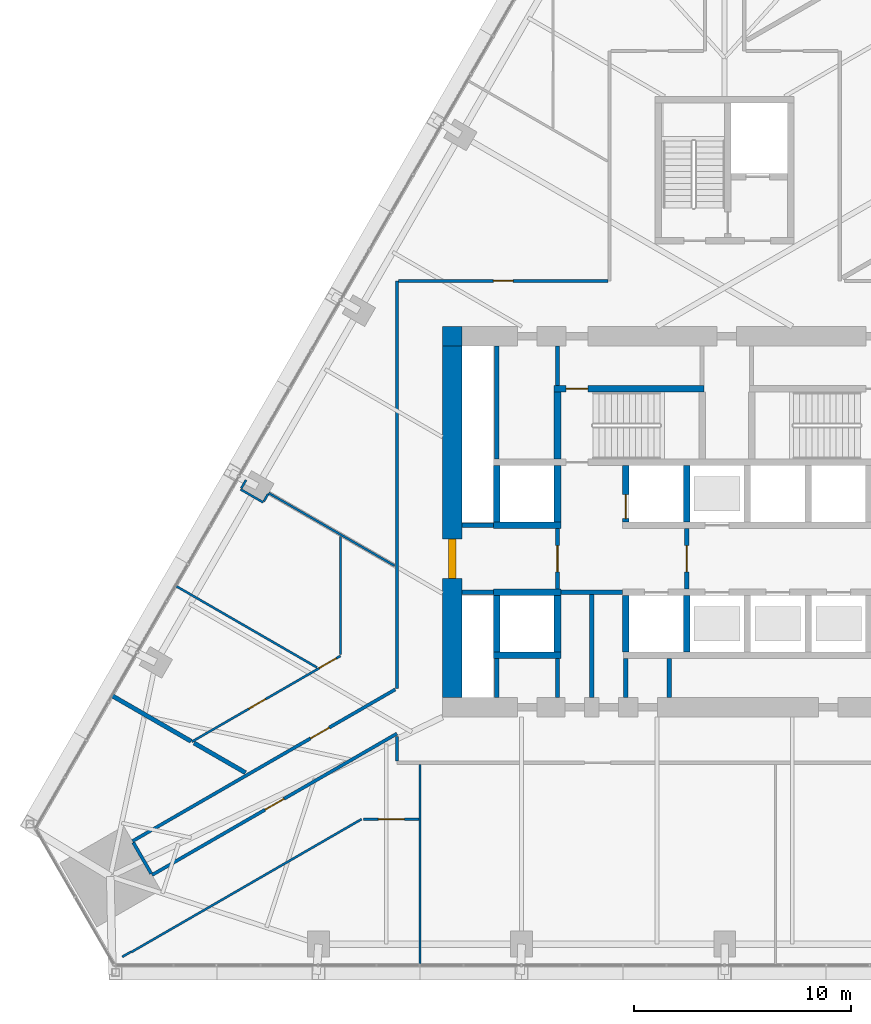
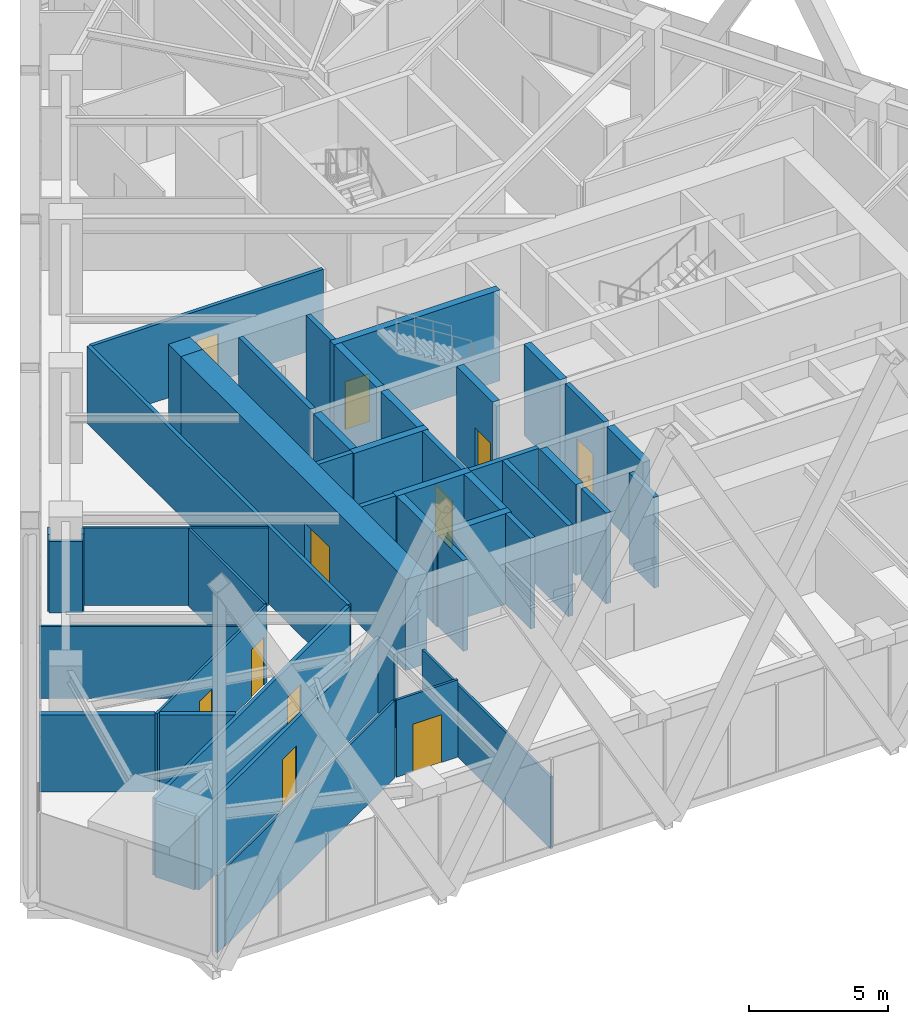
# One storey, part 15 of 21: 46 walls, 11 doors, 11 openings.
"""IFC4 building model written with IfcOpenShell, lengths in metres."""

import ifcopenshell
import ifcopenshell.guid

model = None  # the IFC model being written
_history = None  # IfcOwnerHistory: only IFC2X3 demands one
_inside = {}  # id of a spatial element -> (the spatial element, [elements in it])
_under = {}  # id of a project, library or spatial element -> (it, [spatial elements below it])
_declared = {}  # id of a project -> (the project, [libraries it declares])
_typed = {}  # id of a type object -> (the type object, [elements of that type])
_made_of = {}  # id of a material, layer set ... -> (it, [elements and type objects made of it])


def new_model(schema):
    """Start an empty IFC model of exactly this schema.

    Asked for "IFC4X3", IfcOpenShell would pick the latest addendum, in which some entities
    have other attributes; the version numbers below select the first issue.
    IFC2X3 requires an IfcOwnerHistory on every rooted entity: one is made here for all.
    """
    global model, _history
    if schema == "IFC4X3":
        model = ifcopenshell.file(schema_version=(4, 3, 0, 0))
    else:
        model = ifcopenshell.file(schema=schema)
    _inside.clear()
    _under.clear()
    _declared.clear()
    _typed.clear()
    _made_of.clear()
    _history = None
    if model.schema == "IFC2X3":
        org = make("IfcOrganization", Name="unknown")
        user = make(
            "IfcPersonAndOrganization",
            ThePerson=make("IfcPerson", FamilyName="unknown"),
            TheOrganization=org,
        )
        app = make(
            "IfcApplication",
            ApplicationDeveloper=org,
            Version="unknown",
            ApplicationFullName="unknown",
            ApplicationIdentifier="unknown",
        )
        _history = make(
            "IfcOwnerHistory",
            OwningUser=user,
            OwningApplication=app,
            ChangeAction="ADDED",
            CreationDate=0,
        )
    return model


def make(cls, **values):
    """One entity of the class cls with the attributes given. An attribute that is None is left unset."""
    return model.create_entity(
        cls, **{name: value for name, value in values.items() if value is not None}
    )


def rooted(cls, **values):
    """An entity with a GlobalId (a new one), such as an element, a storey or a relation."""
    return make(cls, GlobalId=ifcopenshell.guid.new(), OwnerHistory=_history, **values)


def si_unit(unit_type, name, prefix=None):
    """IfcSIUnit, for example si_unit("LENGTHUNIT", "METRE", prefix="MILLI")."""
    return make("IfcSIUnit", UnitType=unit_type, Prefix=prefix, Name=name)


def assignment(units):
    """IfcUnitAssignment: the units of a project."""
    return None if units is None else make("IfcUnitAssignment", Units=units)


def point(xyz):
    """IfcCartesianPoint."""
    return None if xyz is None else make("IfcCartesianPoint", Coordinates=xyz)


def direction(xyz):
    """IfcDirection."""
    return None if xyz is None else make("IfcDirection", DirectionRatios=xyz)


def frame(location, z_axis=None, x_axis=None):
    """IfcAxis2Placement3D, a coordinate frame: its origin and axes. An axis left out is left unset."""
    return make(
        "IfcAxis2Placement3D",
        Location=point(location),
        Axis=direction(z_axis),
        RefDirection=direction(x_axis),
    )


def frame_2d(location, x_axis=None):
    """IfcAxis2Placement2D, a coordinate frame in the plane: its origin and x axis."""
    return make(
        "IfcAxis2Placement2D", Location=point(location), RefDirection=direction(x_axis)
    )


def origin():
    """The frame at (0, 0, 0) with its axes left unset."""
    return frame((0.0, 0.0, 0.0))


def place(relative_to, where):
    """IfcLocalPlacement: puts the frame where relative to a parent placement (None: the world)."""
    return make(
        "IfcLocalPlacement", PlacementRelTo=relative_to, RelativePlacement=where
    )


def context(
    kind, dimensions, precision=None, world=None, true_north=None, identifier=None
):
    """IfcGeometricRepresentationContext, for example the 3D "Model" context."""
    return make(
        "IfcGeometricRepresentationContext",
        ContextIdentifier=identifier,
        ContextType=kind,
        CoordinateSpaceDimension=dimensions,
        Precision=precision,
        WorldCoordinateSystem=world,
        TrueNorth=true_north,
    )


def subcontext(parent, identifier, kind, view, scale=None):
    """IfcGeometricRepresentationSubContext, for example "Body" below "Model"."""
    return make(
        "IfcGeometricRepresentationSubContext",
        ContextIdentifier=identifier,
        ContextType=kind,
        ParentContext=parent,
        TargetScale=scale,
        TargetView=view,
    )


def project(units=None, contexts=None):
    """IfcProject with its units and contexts."""
    return rooted(
        "IfcProject",
        Name="project",
        RepresentationContexts=contexts,
        UnitsInContext=assignment(units),
    )


def spatial(cls, under=None, at=None, **own):
    """A site, building, storey or space (cls), placed at a placement, below another one or the project."""
    s = rooted(cls, ObjectPlacement=at, **own)
    if under is not None:
        _under.setdefault(under.id(), (under, []))[1].append(s)
    return s


def profile(cls, at=None, kind="AREA", **sizes):
    """A parametric profile (cls). Its sizes go by their IFC names, for example OverallWidth=200.0."""
    return make(cls, ProfileType=kind, Position=at, **sizes)


def rectangle(**sizes):
    """IfcRectangleProfileDef."""
    return profile("IfcRectangleProfileDef", **sizes)


def extrude(swept, where, along, depth):
    """IfcExtrudedAreaSolid: the profile swept, set in the frame where, extruded along a direction by depth."""
    return make(
        "IfcExtrudedAreaSolid",
        SweptArea=swept,
        Position=where,
        ExtrudedDirection=direction(along),
        Depth=depth,
    )


def shape(context_of_items, identifier, shape_type, items):
    """IfcShapeRepresentation: the items that make up one representation, for example the "Body"."""
    return make(
        "IfcShapeRepresentation",
        ContextOfItems=context_of_items,
        RepresentationIdentifier=identifier,
        RepresentationType=shape_type,
        Items=items,
    )


def material(Name=None, Category=None):
    """IfcMaterial."""
    return make("IfcMaterial", Name=Name, Category=Category)


def layer(
    of_material, thickness, ventilated=None, Name=None, Category=None, Priority=None
):
    """IfcMaterialLayer: one layer of a wall or slab, of a material (None: an air gap)."""
    return make(
        "IfcMaterialLayer",
        Material=of_material,
        LayerThickness=thickness,
        IsVentilated=ventilated,
        Name=Name,
        Category=Category,
        Priority=Priority,
    )


def layer_set(layers, Name=None):
    """IfcMaterialLayerSet."""
    return make("IfcMaterialLayerSet", MaterialLayers=layers, LayerSetName=Name)


def made_of(thing, what):
    """Note that an element or type object is made of a material, layer set ...; save() writes the relation."""
    if what is not None:
        _made_of.setdefault(what.id(), (what, []))[1].append(thing)
    return thing


def type_object(cls, material=None, **own):
    """A type object (cls), such as IfcWallType, which elements share."""
    return made_of(rooted(cls, **own), material)


def element(
    cls,
    number,
    at=None,
    inside=None,
    cuts=None,
    type_object=None,
    material=None,
    context=None,
    identifier="Body",
    shape_type=None,
    held_by="IfcProductDefinitionShape",
    body=None,
    shapes=None,
    **own,
):
    """One element of the class cls, such as IfcWall. Its Tag is "e" and its number.

    at: its placement. inside: the storey or other place that contains it. cuts: it is an
    opening in that element (IfcRelVoidsElement). A single representation is given by context,
    identifier, shape_type and body (its items); several are given by shapes. held_by: the class
    of the entity that holds the representations. save() writes the other relations.
    """
    e = rooted(cls, Tag="e%d" % number, ObjectPlacement=at, **own)
    if body is not None:
        shapes = [shape(context, identifier, shape_type, body)]
    if shapes is not None:
        e.Representation = make(held_by, Representations=shapes)
    if inside is not None:
        _inside.setdefault(inside.id(), (inside, []))[1].append(e)
    if cuts is not None:
        rooted(
            "IfcRelVoidsElement", RelatingBuildingElement=cuts, RelatedOpeningElement=e
        )
    if type_object is not None:
        _typed.setdefault(type_object.id(), (type_object, []))[1].append(e)
    return made_of(e, material)


def fill(opening, filler):
    """IfcRelFillsElement: the door or window that sits in an opening."""
    return rooted(
        "IfcRelFillsElement",
        RelatingOpeningElement=opening,
        RelatedBuildingElement=filler,
    )


def aggregate(whole, parts):
    """IfcRelAggregates: a whole, such as a stair, and the parts it consists of."""
    return rooted("IfcRelAggregates", RelatingObject=whole, RelatedObjects=parts)


def save(model, path):
    """Write the relations noted so far, then the file.

    IfcRelAggregates (storeys below a building ...), IfcRelContainedInSpatialStructure (elements
    in a storey), IfcRelDefinesByType, IfcRelAssociatesMaterial and IfcRelDeclares: one each for
    every whole, place, type object, material and project.
    """
    for whole, parts in _under.values():
        aggregate(whole, parts)
    for where, things in _inside.values():
        rooted(
            "IfcRelContainedInSpatialStructure",
            RelatedElements=things,
            RelatingStructure=where,
        )
    for kind, things in _typed.values():
        rooted("IfcRelDefinesByType", RelatedObjects=things, RelatingType=kind)
    for what, things in _made_of.values():
        rooted("IfcRelAssociatesMaterial", RelatedObjects=things, RelatingMaterial=what)
    for by, libraries in _declared.values():
        rooted("IfcRelDeclares", RelatingContext=by, RelatedDefinitions=libraries)
    model.write(path)


model = new_model("IFC4")

# Units and contexts
model_context = context("Model", 3, precision=1e-05, world=origin(), true_north=direction((0.0, 1.0)))
body_context = subcontext(model_context, "Body", "Model", "MODEL_VIEW")
ifc_project = project(units=[si_unit("LENGTHUNIT", "METRE"), si_unit("AREAUNIT", "SQUARE_METRE"), si_unit("VOLUMEUNIT", "CUBIC_METRE"), si_unit("PLANEANGLEUNIT", "RADIAN"), si_unit("MASSUNIT", "GRAM", prefix="KILO")], contexts=[model_context])

# Site, building, storey
site_placement = place(None, origin())
site = spatial("IfcSite", under=ifc_project, at=site_placement, CompositionType="ELEMENT")
building_placement = place(site_placement, origin())
building = spatial("IfcBuilding", under=site, at=building_placement, Name="Firuza Gate Tower and Library", CompositionType="ELEMENT")
storey_placement = place(building_placement, frame((0.0, 0.0, 107.199951171875)))
storey = spatial("IfcBuildingStorey", under=building, at=storey_placement, Name="L24", CompositionType="ELEMENT", Elevation=107.199951171875)

# Walls
ifc_material_1 = material(Name="Plasterboard on steel studs", Category="steel")
ifc_layer_1 = layer(ifc_material_1, 0.199951171875)
ifc_layer_set_1 = layer_set([ifc_layer_1], Name="Core partition 200 EI 120")
wall_type_1 = type_object("IfcWallType", Name="Core partition 200 EI 120", PredefinedType="PARTITIONING", material=ifc_layer_set_1)
wall_1_placement = place(storey_placement, frame((62.89990234375, 71.75, 0.0), z_axis=(0.0, 0.0, 1.0), x_axis=(1.0, 0.0, 0.0)))
element("IfcWall", 1, at=wall_1_placement, inside=storey, type_object=wall_type_1, Name="Core partition L24 1", PredefinedType="PARTITIONING", context=body_context, shape_type="SweptSolid", body=[
    extrude(rectangle(XDim=1.4501953125, YDim=0.199951171875, at=frame_2d((0.72509765625, 0.0))), origin(), (0.0, 0.0, 1.0), 4.0),
])
wall_2_placement = place(storey_placement, frame((67.449951171875, 71.75, 0.0), z_axis=(0.0, 0.0, 1.0), x_axis=(1.0, 0.0, 0.0)))
element("IfcWall", 2, at=wall_2_placement, inside=storey, type_object=wall_type_1, Name="Core partition L24 2", PredefinedType="PARTITIONING", context=body_context, shape_type="SweptSolid", body=[
    extrude(rectangle(XDim=2.85009765625, YDim=0.199951171875, at=frame_2d((1.425048828125, 0.0))), origin(), (0.0, 0.0, 1.0), 4.0),
])
wall_3_placement = place(storey_placement, frame((62.89990234375, 74.85009765625, 0.0), z_axis=(0.0, 0.0, 1.0), x_axis=(1.0, 0.0, 0.0)))
element("IfcWall", 3, at=wall_3_placement, inside=storey, type_object=wall_type_1, Name="Core partition L24 3", PredefinedType="PARTITIONING", context=body_context, shape_type="SweptSolid", body=[
    extrude(rectangle(XDim=1.4501953125, YDim=0.199951171875, at=frame_2d((0.72509765625, 0.0))), origin(), (0.0, 0.0, 1.0), 4.0),
])
wall_4_placement = place(storey_placement, frame((64.5, 66.89990234375, 0.0), z_axis=(0.0, 0.0, 1.0), x_axis=(0.0, 1.0, 0.0)))
element("IfcWall", 4, at=wall_4_placement, inside=storey, type_object=wall_type_1, Name="Core partition L24 5", PredefinedType="PARTITIONING", context=body_context, shape_type="SweptSolid", body=[
    extrude(rectangle(XDim=1.800048828125, YDim=0.199951171875, at=frame_2d((0.89990234375, 0.0))), origin(), (0.0, 0.0, 1.0), 4.0),
])
wall_5_placement = place(storey_placement, frame((64.5, 77.89990234375, 0.0), z_axis=(0.0, 0.0, 1.0), x_axis=(0.0, 1.0, 0.0)))
element("IfcWall", 5, at=wall_5_placement, inside=storey, type_object=wall_type_1, Name="Core partition L24 6", PredefinedType="PARTITIONING", context=body_context, shape_type="SweptSolid", body=[
    extrude(rectangle(XDim=5.2001953125, YDim=0.199951171875, at=frame_2d((2.60009765625, 0.0))), origin(), (0.0, 0.0, 1.0), 4.0),
])
wall_6_placement = place(storey_placement, frame((67.300048828125, 66.89990234375, 0.0), z_axis=(0.0, 0.0, 1.0), x_axis=(0.0, 1.0, 0.0)))
element("IfcWall", 6, at=wall_6_placement, inside=storey, type_object=wall_type_1, Name="Core partition L24 7", PredefinedType="PARTITIONING", context=body_context, shape_type="SweptSolid", body=[
    extrude(rectangle(XDim=1.800048828125, YDim=0.199951171875, at=frame_2d((0.89990234375, 0.0))), origin(), (0.0, 0.0, 1.0), 4.0),
])
wall_7_placement = place(storey_placement, frame((68.875, 66.89990234375, 0.0), z_axis=(0.0, 0.0, 1.0), x_axis=(0.0, 1.0, 0.0)))
element("IfcWall", 7, at=wall_7_placement, inside=storey, type_object=wall_type_1, Name="Core partition L24 10", PredefinedType="PARTITIONING", context=body_context, shape_type="SweptSolid", body=[
    extrude(rectangle(XDim=4.75, YDim=0.199951171875, at=frame_2d((2.375, 0.0))), origin(), (0.0, 0.0, 1.0), 4.0),
])
for number, where, z_axis, x_axis, name in (
    (8, (70.449951171875, 66.89990234375, 0.0), (0.0, 0.0, 1.0), (0.0, 1.0, 0.0), "Core partition L24 11"),
    (9, (72.447998046875, 66.89990234375, 0.0), (0.0, 0.0, 1.0), (0.0, 1.0, 0.0), "Core partition L24 12"),
):
    element("IfcWall", number, at=place(storey_placement, frame(where, z_axis=z_axis, x_axis=x_axis)), inside=storey, type_object=wall_type_1, Name=name, PredefinedType="PARTITIONING", context=body_context, shape_type="SweptSolid", body=[
        extrude(rectangle(XDim=1.800048828125, YDim=0.199951171875, at=frame_2d((0.89990234375, 0.0))), origin(), (0.0, 0.0, 1.0), 4.0),
    ])

# Wall, opening, door
ifc_material_2 = material(Name="Plasterboard on steel studs", Category="steel")
ifc_layer_2 = layer(ifc_material_2, 0.199951171875)
ifc_layer_set_2 = layer_set([ifc_layer_2], Name="Core partition 200 EI 60")
wall_type_2 = type_object("IfcWallType", Name="Core partition 200 EI 60", PredefinedType="PARTITIONING", material=ifc_layer_set_2)
wall_8_placement = place(storey_placement, frame((67.300048828125, 71.89990234375, 0.0), z_axis=(0.0, 0.0, 1.0), x_axis=(0.0, 1.0, 0.0)))
wall_8 = element("IfcWall", 10, at=wall_8_placement, inside=storey, type_object=wall_type_2, Name="Core partition L24 8", PredefinedType="PARTITIONING", context=body_context, shape_type="SweptSolid", body=[
    extrude(rectangle(XDim=2.800048828125, YDim=0.199951171875, at=frame_2d((1.39990234375, 0.0))), origin(), (0.0, 0.0, 1.0), 4.0),
])
opening_1_placement = place(wall_8_placement, frame((0.800048828125, 0.0, 0.0)))
opening_1 = element("IfcOpeningElement", 11, at=opening_1_placement, cuts=wall_8, Name="Opening L24-K21", PredefinedType="OPENING", context=body_context, shape_type="SweptSolid", body=[
    extrude(rectangle(XDim=1.199951171875, YDim=2.10009765625, at=frame_2d((0.60009765625, 1.050048828125))), frame((0.0, 0.10986328125, 0.0), z_axis=(0.0, -1.0, 0.0), x_axis=(1.0, 0.0, 0.0)), (0.0, 0.0, 1.0), 0.219970703125),
])
ifc_material_3 = material(Name="Steel", Category="steel")
door_type_1 = type_object("IfcDoorType", Name="Fire door 1200x2100 FD90S", OperationType="NOTDEFINED", PredefinedType="DOOR", material=ifc_material_3)
door_1_placement = place(opening_1_placement, origin())
door_1 = element("IfcDoor", 12, at=door_1_placement, inside=storey, type_object=door_type_1, Name="Door L24-K21", OperationType="SINGLE_SWING_RIGHT", OverallHeight=2.10009765625, OverallWidth=1.199951171875, PredefinedType="DOOR", context=body_context, shape_type="SweptSolid", body=[
    extrude(rectangle(XDim=1.199951171875, YDim=2.10009765625, at=frame_2d((0.60009765625, 1.050048828125))), frame((0.0, 0.02490234375, 0.0), z_axis=(0.0, -1.0, 0.0), x_axis=(1.0, 0.0, 0.0)), (0.0, 0.0, 1.0), 0.050048828125),
])
fill(opening_1, door_1)

# Wall
wall_9_placement = place(storey_placement, frame((67.300048828125, 81.280029296875, 0.0), z_axis=(0.0, 0.0, 1.0), x_axis=(0.0, 1.0, 0.0)))
element("IfcWall", 13, at=wall_9_placement, inside=storey, type_object=wall_type_2, Name="Core partition L24 9", PredefinedType="PARTITIONING", context=body_context, shape_type="SweptSolid", body=[
    extrude(rectangle(XDim=1.820068359375, YDim=0.199951171875, at=frame_2d((0.91015625, 0.0))), origin(), (0.0, 0.0, 1.0), 4.0),
])

# Wall, opening, door
wall_10_placement = place(storey_placement, frame((73.25, 71.89990234375, 0.0), z_axis=(0.0, 0.0, 1.0), x_axis=(0.0, 1.0, 0.0)))
wall_10 = element("IfcWall", 14, at=wall_10_placement, inside=storey, type_object=wall_type_2, Name="Core partition L24 13", PredefinedType="PARTITIONING", context=body_context, shape_type="SweptSolid", body=[
    extrude(rectangle(XDim=2.800048828125, YDim=0.199951171875, at=frame_2d((1.39990234375, 0.0))), origin(), (0.0, 0.0, 1.0), 4.0),
])
opening_2_placement = place(wall_10_placement, frame((0.800048828125, 0.0, 0.0)))
opening_2 = element("IfcOpeningElement", 15, at=opening_2_placement, cuts=wall_10, Name="Opening L24-K20", PredefinedType="OPENING", context=body_context, shape_type="SweptSolid", body=[
    extrude(rectangle(XDim=1.199951171875, YDim=2.10009765625, at=frame_2d((0.60009765625, 1.050048828125))), frame((0.0, 0.10986328125, 0.0), z_axis=(0.0, -1.0, 0.0), x_axis=(1.0, 0.0, 0.0)), (0.0, 0.0, 1.0), 0.219970703125),
])
door_2_placement = place(opening_2_placement, origin())
door_2 = element("IfcDoor", 16, at=door_2_placement, inside=storey, type_object=door_type_1, Name="Door L24-K20", OperationType="SINGLE_SWING_LEFT", OverallHeight=2.10009765625, OverallWidth=1.199951171875, PredefinedType="DOOR", context=body_context, shape_type="SweptSolid", body=[
    extrude(rectangle(XDim=1.199951171875, YDim=2.10009765625, at=frame_2d((0.60009765625, 1.050048828125))), frame((0.0, 0.02490234375, 0.0), z_axis=(0.0, -1.0, 0.0), x_axis=(1.0, 0.0, 0.0)), (0.0, 0.0, 1.0), 0.050048828125),
])
fill(opening_2, door_2)

# Walls
ifc_material_4 = material(Name="Concrete C80/95", Category="concrete")
ifc_layer_3 = layer(ifc_material_4, 0.300048828125)
ifc_layer_set_3 = layer_set([ifc_layer_3], Name="Core wall 300 C80/95")
wall_type_3 = type_object("IfcWallType", Name="Core wall 300 C80/95", PredefinedType="SHEAR", material=ifc_layer_set_3)
for number, where, z_axis, x_axis, name in (
    (17, (64.35009765625, 68.85009765625, 0.0), (0.0, 0.0, 1.0), (1.0, 0.0, 0.0), "Core wall L24 5"),
    (18, (64.35009765625, 71.75, 0.0), (0.0, 0.0, 1.0), (1.0, 0.0, 0.0), "Core wall L24 7"),
    (19, (64.35009765625, 74.85009765625, 0.0), (0.0, 0.0, 1.0), (1.0, 0.0, 0.0), "Core wall L24 9"),
):
    element("IfcWall", number, at=place(storey_placement, frame(where, z_axis=z_axis, x_axis=x_axis)), inside=storey, type_object=wall_type_3, Name=name, PredefinedType="SHEAR", context=body_context, shape_type="SweptSolid", body=[
        extrude(rectangle(XDim=3.099853515625, YDim=0.300048828125, at=frame_2d((1.5498046875, 0.0))), origin(), (0.0, 0.0, 1.0), 4.0),
    ])
for number, where, z_axis, x_axis, name in (
    (20, (64.5, 69.0, 0.0), (0.0, 0.0, 1.0), (0.0, 1.0, 0.0), "Core wall L24 11"),
    (21, (64.5, 75.0, 0.0), (0.0, 0.0, 1.0), (0.0, 1.0, 0.0), "Core wall L24 12"),
    (22, (67.300048828125, 69.0, 0.0), (0.0, 0.0, 1.0), (0.0, 1.0, 0.0), "Core wall L24 13"),
    (23, (67.300048828125, 75.0, 0.0), (0.0, 0.0, 1.0), (0.0, 1.0, 0.0), "Core wall L24 14"),
    (24, (70.449951171875, 69.0, 0.0), (0.0, 0.0, 1.0), (0.0, 1.0, 0.0), "Core wall L24 15"),
):
    element("IfcWall", number, at=place(storey_placement, frame(where, z_axis=z_axis, x_axis=x_axis)), inside=storey, type_object=wall_type_3, Name=name, PredefinedType="SHEAR", context=body_context, shape_type="SweptSolid", body=[
        extrude(rectangle(XDim=2.60009765625, YDim=0.300048828125, at=frame_2d((1.300048828125, 0.0))), origin(), (0.0, 0.0, 1.0), 4.0),
    ])

# Wall, opening, door
wall_11_placement = place(storey_placement, frame((70.449951171875, 75.0, 0.0), z_axis=(0.0, 0.0, 1.0), x_axis=(0.0, 1.0, 0.0)))
wall_11 = element("IfcWall", 25, at=wall_11_placement, inside=storey, type_object=wall_type_3, Name="Core wall L24 16", PredefinedType="SHEAR", context=body_context, shape_type="SweptSolid", body=[
    extrude(rectangle(XDim=2.60009765625, YDim=0.300048828125, at=frame_2d((1.300048828125, 0.0))), origin(), (0.0, 0.0, 1.0), 4.0),
])
opening_3_placement = place(wall_11_placement, frame((0.14990234375, 0.0, 0.0)))
opening_3 = element("IfcOpeningElement", 26, at=opening_3_placement, cuts=wall_11, Name="Opening LD-FF2-L24", PredefinedType="OPENING", context=body_context, shape_type="SweptSolid", body=[
    extrude(rectangle(XDim=1.10009765625, YDim=2.10009765625, at=frame_2d((0.550048828125, 1.050048828125))), frame((0.0, 0.16015625, 0.0), z_axis=(0.0, -1.0, 0.0), x_axis=(1.0, 0.0, 0.0)), (0.0, 0.0, 1.0), 0.320068359375),
])
ifc_material_5 = material(Name="Stainless steel", Category="steel")
door_type_2 = type_object("IfcDoorType", Name="Lift landing door 1100x2100", OperationType="DOUBLE_DOOR_SLIDING", PredefinedType="DOOR", material=ifc_material_5)
door_3_placement = place(opening_3_placement, origin())
door_3 = element("IfcDoor", 27, at=door_3_placement, inside=storey, type_object=door_type_2, Name="Landing door FF2 L24", OperationType="DOUBLE_DOOR_SLIDING", OverallHeight=2.10009765625, OverallWidth=1.10009765625, PredefinedType="DOOR", context=body_context, shape_type="SweptSolid", body=[
    extrude(rectangle(XDim=1.10009765625, YDim=2.10009765625, at=frame_2d((0.550048828125, 1.050048828125))), frame((0.0, 0.02490234375, 0.0), z_axis=(0.0, -1.0, 0.0), x_axis=(1.0, 0.0, 0.0)), (0.0, 0.0, 1.0), 0.050048828125),
])
fill(opening_3, door_3)

# Walls
for number, where, z_axis, x_axis, name in (
    (28, (73.25, 69.0, 0.0), (0.0, 0.0, 1.0), (0.0, 1.0, 0.0), "Core wall L24 17"),
    (29, (73.25, 75.0, 0.0), (0.0, 0.0, 1.0), (0.0, 1.0, 0.0), "Core wall L24 18"),
):
    element("IfcWall", number, at=place(storey_placement, frame(where, z_axis=z_axis, x_axis=x_axis)), inside=storey, type_object=wall_type_3, Name=name, PredefinedType="SHEAR", context=body_context, shape_type="SweptSolid", body=[
        extrude(rectangle(XDim=2.60009765625, YDim=0.300048828125, at=frame_2d((1.300048828125, 0.0))), origin(), (0.0, 0.0, 1.0), 4.0),
    ])

# Wall, opening, door
wall_12_placement = place(storey_placement, frame((67.14990234375, 81.1298828125, 0.0), z_axis=(0.0, 0.0, 1.0), x_axis=(1.0, 0.0, 0.0)))
wall_12 = element("IfcWall", 30, at=wall_12_placement, inside=storey, type_object=wall_type_3, Name="Core wall L24 28", PredefinedType="SHEAR", context=body_context, shape_type="SweptSolid", body=[
    extrude(rectangle(XDim=6.91015625, YDim=0.300048828125, at=frame_2d((3.455078125, 0.0))), origin(), (0.0, 0.0, 1.0), 4.0),
])
opening_4_placement = place(wall_12_placement, frame((0.544921875, 0.0, 0.0)))
opening_4 = element("IfcOpeningElement", 31, at=opening_4_placement, cuts=wall_12, Name="Opening L24-K13", PredefinedType="OPENING", context=body_context, shape_type="SweptSolid", body=[
    extrude(rectangle(XDim=1.0, YDim=2.10009765625, at=frame_2d((0.5, 1.050048828125))), frame((0.0, 0.16015625, 0.0), z_axis=(0.0, -1.0, 0.0), x_axis=(1.0, 0.0, 0.0)), (0.0, 0.0, 1.0), 0.320068359375),
])
ifc_material_6 = material(Name="Steel", Category="steel")
door_type_3 = type_object("IfcDoorType", Name="Fire door 1000x2100 FD90", OperationType="NOTDEFINED", PredefinedType="DOOR", material=ifc_material_6)
door_4_placement = place(opening_4_placement, origin())
door_4 = element("IfcDoor", 32, at=door_4_placement, inside=storey, type_object=door_type_3, Name="Door L24-K13", OperationType="SINGLE_SWING_RIGHT", OverallHeight=2.10009765625, OverallWidth=1.0, PredefinedType="DOOR", context=body_context, shape_type="SweptSolid", body=[
    extrude(rectangle(XDim=1.0, YDim=2.10009765625, at=frame_2d((0.5, 1.050048828125))), frame((0.0, 0.02490234375, 0.0), z_axis=(0.0, -1.0, 0.0), x_axis=(1.0, 0.0, 0.0)), (0.0, 0.0, 1.0), 0.050048828125),
])
fill(opening_4, door_4)

# Wall
wall_13_placement = place(storey_placement, frame((67.300048828125, 77.89990234375, 0.0), z_axis=(0.0, 0.0, 1.0), x_axis=(0.0, 1.0, 0.0)))
element("IfcWall", 33, at=wall_13_placement, inside=storey, type_object=wall_type_3, Name="Core wall L24 30", PredefinedType="SHEAR", context=body_context, shape_type="SweptSolid", body=[
    extrude(rectangle(XDim=3.080078125, YDim=0.300048828125, at=frame_2d((1.5400390625, 0.0))), origin(), (0.0, 0.0, 1.0), 4.0),
])

# Wall, opening, door
ifc_material_7 = material(Name="Concrete C80/95", Category="concrete")
ifc_layer_4 = layer(ifc_material_7, 0.89990234375)
ifc_layer_set_4 = layer_set([ifc_layer_4], Name="Core wall 900 C80/95")
wall_type_4 = type_object("IfcWallType", Name="Core wall 900 C80/95", PredefinedType="SHEAR", material=ifc_layer_set_4)
wall_14_placement = place(storey_placement, frame((62.449951171875, 66.89990234375, 0.0), z_axis=(0.0, 0.0, 1.0), x_axis=(0.0, 1.0, 0.0)))
wall_14 = element("IfcWall", 34, at=wall_14_placement, inside=storey, type_object=wall_type_4, Name="Core wall L24 3", PredefinedType="SHEAR", context=body_context, shape_type="SweptSolid", body=[
    extrude(rectangle(XDim=16.2001953125, YDim=0.89990234375, at=frame_2d((8.10009765625, 0.0))), origin(), (0.0, 0.0, 1.0), 4.0),
])
opening_5_placement = place(wall_14_placement, frame((5.5, 0.0, 0.0)))
opening_5 = element("IfcOpeningElement", 35, at=opening_5_placement, cuts=wall_14, Name="Opening L24-K22", PredefinedType="OPENING", context=body_context, shape_type="SweptSolid", body=[
    extrude(rectangle(XDim=1.800048828125, YDim=2.10009765625, at=frame_2d((0.89990234375, 1.050048828125))), frame((0.0, 0.4599609375, 0.0), z_axis=(0.0, -1.0, 0.0), x_axis=(1.0, 0.0, 0.0)), (0.0, 0.0, 1.0), 0.919921875),
])
ifc_material_8 = material(Name="Steel", Category="steel")
door_type_4 = type_object("IfcDoorType", Name="Fire door 1800x2100 FD30S", OperationType="NOTDEFINED", PredefinedType="DOOR", material=ifc_material_8)
door_5_placement = place(opening_5_placement, origin())
door_5 = element("IfcDoor", 36, at=door_5_placement, inside=storey, type_object=door_type_4, Name="Door L24-K22", OperationType="SINGLE_SWING_LEFT", OverallHeight=2.10009765625, OverallWidth=1.800048828125, PredefinedType="DOOR", context=body_context, shape_type="SweptSolid", body=[
    extrude(rectangle(XDim=1.800048828125, YDim=2.10009765625, at=frame_2d((0.89990234375, 1.050048828125))), frame((0.0, 0.169921875, 0.0), z_axis=(0.0, -1.0, 0.0), x_axis=(1.0, 0.0, 0.0)), (0.0, 0.0, 1.0), 0.33984375),
])
fill(opening_5, door_5)

# Wall
wall_15_placement = place(storey_placement, frame((62.0, 83.550048828125, 0.0), z_axis=(0.0, 0.0, 1.0), x_axis=(1.0, 0.0, 0.0)))
element("IfcWall", 37, at=wall_15_placement, inside=storey, type_object=wall_type_4, Name="Core wall L24 40", PredefinedType="SHEAR", context=body_context, shape_type="SweptSolid", body=[
    extrude(rectangle(XDim=0.89990234375, YDim=0.89990234375, at=frame_2d((0.449951171875, 0.0))), origin(), (0.0, 0.0, 1.0), 4.0),
])

# Wall, opening, door
ifc_material_9 = material(Name="Gypsum board partition")
ifc_layer_5 = layer(ifc_material_9, 0.14990234375)
ifc_layer_set_5 = layer_set([ifc_layer_5], Name="Corridor wall 150 double board on steel studs")
wall_type_5 = type_object("IfcWallType", Name="Corridor wall 150 double board on steel studs", PredefinedType="PARTITIONING", material=ifc_layer_set_5)
wall_16_placement = place(storey_placement, frame((69.625, 86.10009765625, 0.0), z_axis=(0.0, 0.0, 1.0), x_axis=(-1.0, 0.0, 0.0)))
wall_16 = element("IfcWall", 38, at=wall_16_placement, inside=storey, type_object=wall_type_5, Name="f:L24:w002", PredefinedType="PARTITIONING", context=body_context, shape_type="SweptSolid", body=[
    extrude(rectangle(XDim=9.6494140625, YDim=0.14990234375, at=frame_2d((4.82470703125, 0.0))), origin(), (0.0, 0.0, 1.0), 3.400146484375),
])
opening_6_placement = place(wall_16_placement, frame((4.374755859375, 0.0, 0.0)))
opening_6 = element("IfcOpeningElement", 39, at=opening_6_placement, cuts=wall_16, Name="Opening L24-04", PredefinedType="OPENING", context=body_context, shape_type="SweptSolid", body=[
    extrude(rectangle(XDim=0.89990234375, YDim=2.10009765625, at=frame_2d((0.449951171875, 1.050048828125))), frame((0.0, 0.0849609375, 0.0), z_axis=(0.0, -1.0, 0.0), x_axis=(1.0, 0.0, 0.0)), (0.0, 0.0, 1.0), 0.169921875),
])
ifc_material_10 = material(Name="Steel door and timber leaf", Category="steel")
door_type_5 = type_object("IfcDoorType", Name="Fire door 900 x 2100 steel frame, timber leaf", OperationType="NOTDEFINED", PredefinedType="DOOR", material=ifc_material_10)
door_6_placement = place(opening_6_placement, origin())
door_6 = element("IfcDoor", 40, at=door_6_placement, inside=storey, type_object=door_type_5, Name="f:L24:d004", OperationType="SINGLE_SWING_LEFT", OverallHeight=2.10009765625, OverallWidth=0.89990234375, PredefinedType="DOOR", context=body_context, shape_type="SweptSolid", body=[
    extrude(rectangle(XDim=0.89990234375, YDim=2.10009765625, at=frame_2d((0.449951171875, 1.050048828125))), frame((0.0, 0.02490234375, 0.0), z_axis=(0.0, -1.0, 0.0), x_axis=(1.0, 0.0, 0.0)), (0.0, 0.0, 1.0), 0.050048828125),
])
fill(opening_6, door_6)

wall_17_placement = place(storey_placement, frame((48.618896484375, 58.729736328125, 0.0), z_axis=(0.0, 0.0, 1.0), x_axis=(0.866022351388, 0.500005286868, 0.0)))
wall_17 = element("IfcWall", 41, at=wall_17_placement, inside=storey, type_object=wall_type_5, Name="f:L24:w014", PredefinedType="PARTITIONING", context=body_context, shape_type="SweptSolid", body=[
    extrude(rectangle(XDim=13.026123046875, YDim=0.14990234375, at=frame_2d((6.51318359375, 0.0))), origin(), (0.0, 0.0, 1.0), 3.2470703125),
])
opening_7_placement = place(wall_17_placement, frame((6.01318359375, 0.0, 0.0)))
opening_7 = element("IfcOpeningElement", 42, at=opening_7_placement, cuts=wall_17, Name="Opening L24-11", PredefinedType="OPENING", context=body_context, shape_type="SweptSolid", body=[
    extrude(rectangle(XDim=1.0, YDim=2.10009765625, at=frame_2d((0.5, 1.050048828125))), frame((0.0, 0.0849609375, 0.0), z_axis=(0.0, -1.0, 0.0), x_axis=(1.0, 0.0, 0.0)), (0.0, 0.0, 1.0), 0.169921875),
])
ifc_material_11 = material(Name="Steel door and timber leaf", Category="steel")
door_type_6 = type_object("IfcDoorType", Name="Fire door 1000 x 2100 steel frame, timber leaf", OperationType="NOTDEFINED", PredefinedType="DOOR", material=ifc_material_11)
door_7_placement = place(opening_7_placement, origin())
door_7 = element("IfcDoor", 43, at=door_7_placement, inside=storey, type_object=door_type_6, Name="f:L24:d011", OperationType="SINGLE_SWING_RIGHT", OverallHeight=2.10009765625, OverallWidth=1.0, PredefinedType="DOOR", context=body_context, shape_type="SweptSolid", body=[
    extrude(rectangle(XDim=1.0, YDim=2.10009765625, at=frame_2d((0.5, 1.050048828125))), frame((0.0, 0.02490234375, 0.0), z_axis=(0.0, -1.0, 0.0), x_axis=(1.0, 0.0, 0.0)), (0.0, 0.0, 1.0), 0.050048828125),
])
fill(opening_7, door_7)

wall_18_placement = place(storey_placement, frame((47.71875, 60.28857421875, 0.0), z_axis=(0.0, 0.0, 1.0), x_axis=(0.866025916507, 0.499999111938, 0.0)))
wall_18 = element("IfcWall", 44, at=wall_18_placement, inside=storey, type_object=wall_type_5, Name="f:L24:w017", PredefinedType="PARTITIONING", context=body_context, shape_type="SweptSolid", body=[
    extrude(rectangle(XDim=13.97900390625, YDim=0.14990234375, at=frame_2d((6.989501953125, 0.0))), origin(), (0.0, 0.0, 1.0), 3.400146484375),
])
opening_8_placement = place(wall_18_placement, frame((9.46728515625, 0.0, 0.0)))
opening_8 = element("IfcOpeningElement", 45, at=opening_8_placement, cuts=wall_18, Name="Opening L24-12", PredefinedType="OPENING", context=body_context, shape_type="SweptSolid", body=[
    extrude(rectangle(XDim=1.0, YDim=2.10009765625, at=frame_2d((0.5, 1.050048828125))), frame((0.0, 0.0849609375, 0.0), z_axis=(0.0, -1.0, 0.0), x_axis=(1.0, 0.0, 0.0)), (0.0, 0.0, 1.0), 0.169921875),
])
door_8_placement = place(opening_8_placement, origin())
door_8 = element("IfcDoor", 46, at=door_8_placement, inside=storey, type_object=door_type_6, Name="f:L24:d012", OperationType="SINGLE_SWING_LEFT", OverallHeight=2.10009765625, OverallWidth=1.0, PredefinedType="DOOR", context=body_context, shape_type="SweptSolid", body=[
    extrude(rectangle(XDim=1.0, YDim=2.10009765625, at=frame_2d((0.5, 1.050048828125))), frame((0.0, 0.02490234375, 0.0), z_axis=(0.0, -1.0, 0.0), x_axis=(1.0, 0.0, 0.0)), (0.0, 0.0, 1.0), 0.050048828125),
])
fill(opening_8, door_8)

# Walls
wall_19_placement = place(storey_placement, frame((59.89990234375, 63.9755859375, 0.0), z_axis=(0.0, 0.0, 1.0), x_axis=(0.0, 1.0, 0.0)))
element("IfcWall", 47, at=wall_19_placement, inside=storey, type_object=wall_type_5, Name="f:L24:w047", PredefinedType="PARTITIONING", context=body_context, shape_type="SweptSolid", body=[
    extrude(rectangle(XDim=1.130615234375, YDim=0.14990234375, at=frame_2d((0.5654296875, 0.0))), origin(), (0.0, 0.0, 1.0), 3.2470703125),
])
wall_20_placement = place(storey_placement, frame((59.89990234375, 67.3212890625, 0.0), z_axis=(0.0, 0.0, 1.0), x_axis=(0.0, 1.0, 0.0)))
element("IfcWall", 48, at=wall_20_placement, inside=storey, type_object=wall_type_5, Name="f:L24:w048", PredefinedType="PARTITIONING", context=body_context, shape_type="SweptSolid", body=[
    extrude(rectangle(XDim=18.778076171875, YDim=0.14990234375, at=frame_2d((9.38916015625, 0.0))), origin(), (0.0, 0.0, 1.0), 3.400146484375),
])
wall_21_placement = place(storey_placement, frame((48.580322265625, 58.79443359375, 0.0), z_axis=(0.0, 0.0, 1.0), x_axis=(-0.499944585209, 0.866057395165, 0.0)))
element("IfcWall", 49, at=wall_21_placement, inside=storey, type_object=wall_type_5, Name="f:L24:w053", PredefinedType="PARTITIONING", context=body_context, shape_type="SweptSolid", body=[
    extrude(rectangle(XDim=1.649169921875, YDim=0.14990234375, at=frame_2d((0.82470703125, 0.0))), origin(), (0.0, 0.0, 1.0), 3.2470703125),
])
ifc_material_12 = material(Name="Gypsum board partition")
ifc_layer_6 = layer(ifc_material_12, 0.199951171875)
ifc_layer_set_6 = layer_set([ifc_layer_6], Name="Demising wall 200 acoustic double stud")
wall_type_6 = type_object("IfcWallType", Name="Demising wall 200 acoustic double stud", PredefinedType="PARTITIONING", material=ifc_layer_set_6)
wall_22_placement = place(storey_placement, frame((52.926025390625, 63.44140625, 0.0), z_axis=(0.0, 0.0, 1.0), x_axis=(-0.866019409031, 0.500010383074, 0.0)))
element("IfcWall", 50, at=wall_22_placement, inside=storey, type_object=wall_type_6, Name="f:L24:w067", PredefinedType="PARTITIONING", context=body_context, shape_type="SweptSolid", body=[
    extrude(rectangle(XDim=2.740234375, YDim=0.199951171875, at=frame_2d((1.3701171875, 0.0))), origin(), (0.0, 0.0, 1.0), 3.400146484375),
])
wall_23_placement = place(storey_placement, frame((50.41552734375, 64.89111328125, 0.0), z_axis=(0.0, 0.0, 1.0), x_axis=(-0.866054366634, 0.499949831517, 0.0)))
element("IfcWall", 51, at=wall_23_placement, inside=storey, type_object=wall_type_6, Name="f:L24:w071", PredefinedType="PARTITIONING", context=body_context, shape_type="SweptSolid", body=[
    extrude(rectangle(XDim=4.1826171875, YDim=0.199951171875, at=frame_2d((2.09130859375, 0.0))), origin(), (0.0, 0.0, 1.0), 3.400146484375),
])

# Wall, opening, door
ifc_material_13 = material(Name="Gypsum board partition")
ifc_layer_7 = layer(ifc_material_13, 0.10009765625)
ifc_layer_set_7 = layer_set([ifc_layer_7], Name="Partition 100 gypsum board on steel studs")
wall_type_7 = type_object("IfcWallType", Name="Partition 100 gypsum board on steel studs", PredefinedType="PARTITIONING", material=ifc_layer_set_7)
wall_24_placement = place(storey_placement, frame((60.918701171875, 61.300048828125, 0.0), z_axis=(0.0, 0.0, 1.0), x_axis=(-1.0, 0.0, 0.0)))
wall_24 = element("IfcWall", 52, at=wall_24_placement, inside=storey, type_object=wall_type_7, Name="f:L24:w000", PredefinedType="PARTITIONING", context=body_context, shape_type="SweptSolid", body=[
    extrude(rectangle(XDim=2.547607421875, YDim=0.10009765625, at=frame_2d((1.27392578125, 0.0))), origin(), (0.0, 0.0, 1.0), 3.400146484375),
])
opening_9_placement = place(wall_24_placement, frame((0.673828125, 0.0, 0.0)))
opening_9 = element("IfcOpeningElement", 53, at=opening_9_placement, cuts=wall_24, Name="Opening L24-01", PredefinedType="OPENING", context=body_context, shape_type="SweptSolid", body=[
    extrude(rectangle(XDim=1.199951171875, YDim=2.10009765625, at=frame_2d((0.60009765625, 1.050048828125))), frame((0.0, 0.06005859375, 0.0), z_axis=(0.0, -1.0, 0.0), x_axis=(1.0, 0.0, 0.0)), (0.0, 0.0, 1.0), 0.1201171875),
])
ifc_material_14 = material(Name="Glazed aluminium door", Category="aluminium")
door_type_7 = type_object("IfcDoorType", Name="Door 1200 x 2100 glazed double leaf", OperationType="NOTDEFINED", PredefinedType="DOOR", material=ifc_material_14)
door_9_placement = place(opening_9_placement, origin())
door_9 = element("IfcDoor", 54, at=door_9_placement, inside=storey, type_object=door_type_7, Name="f:L24:d001", OperationType="DOUBLE_DOOR_SINGLE_SWING", OverallHeight=2.10009765625, OverallWidth=1.199951171875, PredefinedType="DOOR", context=body_context, shape_type="SweptSolid", body=[
    extrude(rectangle(XDim=1.199951171875, YDim=2.10009765625, at=frame_2d((0.60009765625, 1.050048828125))), frame((0.0, 0.02490234375, 0.0), z_axis=(0.0, -1.0, 0.0), x_axis=(1.0, 0.0, 0.0)), (0.0, 0.0, 1.0), 0.050048828125),
])
fill(opening_9, door_9)

# Walls
wall_25_placement = place(storey_placement, frame((47.666748046875, 55.177734375, 0.0), z_axis=(0.0, 0.0, 1.0), x_axis=(0.866022223021, 0.500005509203, 0.0)))
element("IfcWall", 55, at=wall_25_placement, inside=storey, type_object=wall_type_7, Name="f:L24:w012", PredefinedType="PARTITIONING", context=body_context, shape_type="SweptSolid", body=[
    extrude(rectangle(XDim=12.244384765625, YDim=0.10009765625, at=frame_2d((6.1220703125, 0.0))), origin(), (0.0, 0.0, 1.0), 3.400146484375),
])
wall_26_placement = place(storey_placement, frame((47.24755859375, 54.957763671875, 0.0), z_axis=(0.0, 0.0, 1.0), x_axis=(0.865944638795, 0.50013986298, 0.0)))
element("IfcWall", 56, at=wall_26_placement, inside=storey, type_object=wall_type_7, Name="f:L24:w013", PredefinedType="PARTITIONING", context=body_context, shape_type="SweptSolid", body=[
    extrude(rectangle(XDim=0.472412109375, YDim=0.10009765625, at=frame_2d((0.236328125, 0.0))), origin(), (0.0, 0.0, 1.0), 3.400146484375),
])

# Wall, openings, doors
wall_27_placement = place(storey_placement, frame((57.300048828125, 68.822509765625, 0.0), z_axis=(0.0, 0.0, 1.0), x_axis=(-0.866030292833, -0.499991531824, 0.0)))
wall_27 = element("IfcWall", 57, at=wall_27_placement, inside=storey, type_object=wall_type_7, Name="f:L24:w018", PredefinedType="PARTITIONING", context=body_context, shape_type="SweptSolid", body=[
    extrude(rectangle(XDim=7.906494140625, YDim=0.10009765625, at=frame_2d((3.953125, 0.0))), origin(), (0.0, 0.0, 1.0), 3.400146484375),
])
opening_10_placement = place(wall_27_placement, frame((0.2294921875, 0.0, 0.0)))
opening_10 = element("IfcOpeningElement", 58, at=opening_10_placement, cuts=wall_27, Name="Opening L24-13", PredefinedType="OPENING", context=body_context, shape_type="SweptSolid", body=[
    extrude(rectangle(XDim=0.89990234375, YDim=2.10009765625, at=frame_2d((0.449951171875, 1.050048828125))), frame((0.0, 0.06005859375, 0.0), z_axis=(0.0, -1.0, 0.0), x_axis=(1.0, 0.0, 0.0)), (0.0, 0.0, 1.0), 0.1201171875),
])
opening_11_placement = place(wall_27_placement, frame((3.979248046875, 0.0, 0.0)))
opening_11 = element("IfcOpeningElement", 59, at=opening_11_placement, cuts=wall_27, Name="Opening L24-14", PredefinedType="OPENING", context=body_context, shape_type="SweptSolid", body=[
    extrude(rectangle(XDim=0.89990234375, YDim=2.10009765625, at=frame_2d((0.449951171875, 1.050048828125))), frame((0.0, 0.06005859375, 0.0), z_axis=(0.0, -1.0, 0.0), x_axis=(1.0, 0.0, 0.0)), (0.0, 0.0, 1.0), 0.1201171875),
])
ifc_material_15 = material(Name="Timber door", Category="wood")
door_type_8 = type_object("IfcDoorType", Name="Door 900 x 2100 timber leaf", OperationType="NOTDEFINED", PredefinedType="DOOR", material=ifc_material_15)
door_10_placement = place(opening_10_placement, origin())
door_10 = element("IfcDoor", 60, at=door_10_placement, inside=storey, type_object=door_type_8, Name="f:L24:d013", OperationType="SINGLE_SWING_LEFT", OverallHeight=2.10009765625, OverallWidth=0.89990234375, PredefinedType="DOOR", context=body_context, shape_type="SweptSolid", body=[
    extrude(rectangle(XDim=0.89990234375, YDim=2.10009765625, at=frame_2d((0.449951171875, 1.050048828125))), frame((0.0, 0.02490234375, 0.0), z_axis=(0.0, -1.0, 0.0), x_axis=(1.0, 0.0, 0.0)), (0.0, 0.0, 1.0), 0.050048828125),
])
fill(opening_10, door_10)
door_11_placement = place(opening_11_placement, origin())
door_11 = element("IfcDoor", 61, at=door_11_placement, inside=storey, type_object=door_type_8, Name="f:L24:d014", OperationType="SINGLE_SWING_RIGHT", OverallHeight=2.10009765625, OverallWidth=0.89990234375, PredefinedType="DOOR", context=body_context, shape_type="SweptSolid", body=[
    extrude(rectangle(XDim=0.89990234375, YDim=2.10009765625, at=frame_2d((0.449951171875, 1.050048828125))), frame((0.0, 0.02490234375, 0.0), z_axis=(0.0, -1.0, 0.0), x_axis=(1.0, 0.0, 0.0)), (0.0, 0.0, 1.0), 0.050048828125),
])
fill(opening_11, door_11)

# Walls
wall_28_placement = place(storey_placement, frame((53.7705078125, 75.947509765625, 0.0), z_axis=(0.0, 0.0, 1.0), x_axis=(0.500246304613, 0.865883153041, 0.0)))
element("IfcWall", 62, at=wall_28_placement, inside=storey, type_object=wall_type_7, Name="f:L24:w026", PredefinedType="PARTITIONING", context=body_context, shape_type="SweptSolid", body=[
    extrude(rectangle(XDim=0.389892578125, YDim=0.10009765625, at=frame_2d((0.19482421875, 0.0))), origin(), (0.0, 0.0, 1.0), 3.400146484375),
])
wall_29_placement = place(storey_placement, frame((52.72998046875, 76.544921875, 0.0), z_axis=(0.0, 0.0, 1.0), x_axis=(0.49999285859, 0.86602952684, 0.0)))
element("IfcWall", 63, at=wall_29_placement, inside=storey, type_object=wall_type_7, Name="f:L24:w027", PredefinedType="PARTITIONING", context=body_context, shape_type="SweptSolid", body=[
    extrude(rectangle(XDim=0.44287109375, YDim=0.10009765625, at=frame_2d((0.221435546875, 0.0))), origin(), (0.0, 0.0, 1.0), 3.400146484375),
])
wall_30_placement = place(storey_placement, frame((60.968994140625, 54.5810546875, 0.0), z_axis=(0.0, 0.0, 1.0), x_axis=(0.0, 1.0, 0.0)))
element("IfcWall", 64, at=wall_30_placement, inside=storey, type_object=wall_type_7, Name="f:L24:w046", PredefinedType="PARTITIONING", context=body_context, shape_type="SweptSolid", body=[
    extrude(rectangle(XDim=9.243896484375, YDim=0.10009765625, at=frame_2d((4.6220703125, 0.0))), origin(), (0.0, 0.0, 1.0), 3.1650390625),
])
wall_31_placement = place(storey_placement, frame((57.300048828125, 68.880126953125, 0.0), z_axis=(0.0, 0.0, 1.0), x_axis=(0.0, 1.0, 0.0)))
element("IfcWall", 65, at=wall_31_placement, inside=storey, type_object=wall_type_7, Name="f:L24:w049", PredefinedType="PARTITIONING", context=body_context, shape_type="SweptSolid", body=[
    extrude(rectangle(XDim=5.449951171875, YDim=0.10009765625, at=frame_2d((2.72509765625, 0.0))), origin(), (0.0, 0.0, 1.0), 3.400146484375),
])
wall_32_placement = place(storey_placement, frame((59.799072265625, 72.975341796875, 0.0), z_axis=(0.0, 0.0, 1.0), x_axis=(-0.866037071789, 0.499979789879, 0.0)))
element("IfcWall", 66, at=wall_32_placement, inside=storey, type_object=wall_type_7, Name="f:L24:w064", PredefinedType="PARTITIONING", context=body_context, shape_type="SweptSolid", body=[
    extrude(rectangle(XDim=6.706787109375, YDim=0.10009765625, at=frame_2d((3.353515625, 0.0))), origin(), (0.0, 0.0, 1.0), 3.400146484375),
])
wall_33_placement = place(storey_placement, frame((53.74072265625, 75.895751953125, 0.0), z_axis=(0.0, 0.0, 1.0), x_axis=(-0.866094119867, 0.499880961361, 0.0)))
element("IfcWall", 67, at=wall_33_placement, inside=storey, type_object=wall_type_7, Name="f:L24:w065", PredefinedType="PARTITIONING", context=body_context, shape_type="SweptSolid", body=[
    extrude(rectangle(XDim=1.199951171875, YDim=0.10009765625, at=frame_2d((0.60009765625, 0.0))), origin(), (0.0, 0.0, 1.0), 3.1650390625),
])
wall_34_placement = place(storey_placement, frame((56.22314453125, 68.288330078125, 0.0), z_axis=(0.0, 0.0, 1.0), x_axis=(-0.866018922649, 0.500011225488, 0.0)))
element("IfcWall", 68, at=wall_34_placement, inside=storey, type_object=wall_type_7, Name="f:L24:w066", PredefinedType="PARTITIONING", context=body_context, shape_type="SweptSolid", body=[
    extrude(rectangle(XDim=7.513427734375, YDim=0.10009765625, at=frame_2d((3.7568359375, 0.0))), origin(), (0.0, 0.0, 1.0), 3.1650390625),
])

save(model, "model.ifc")
